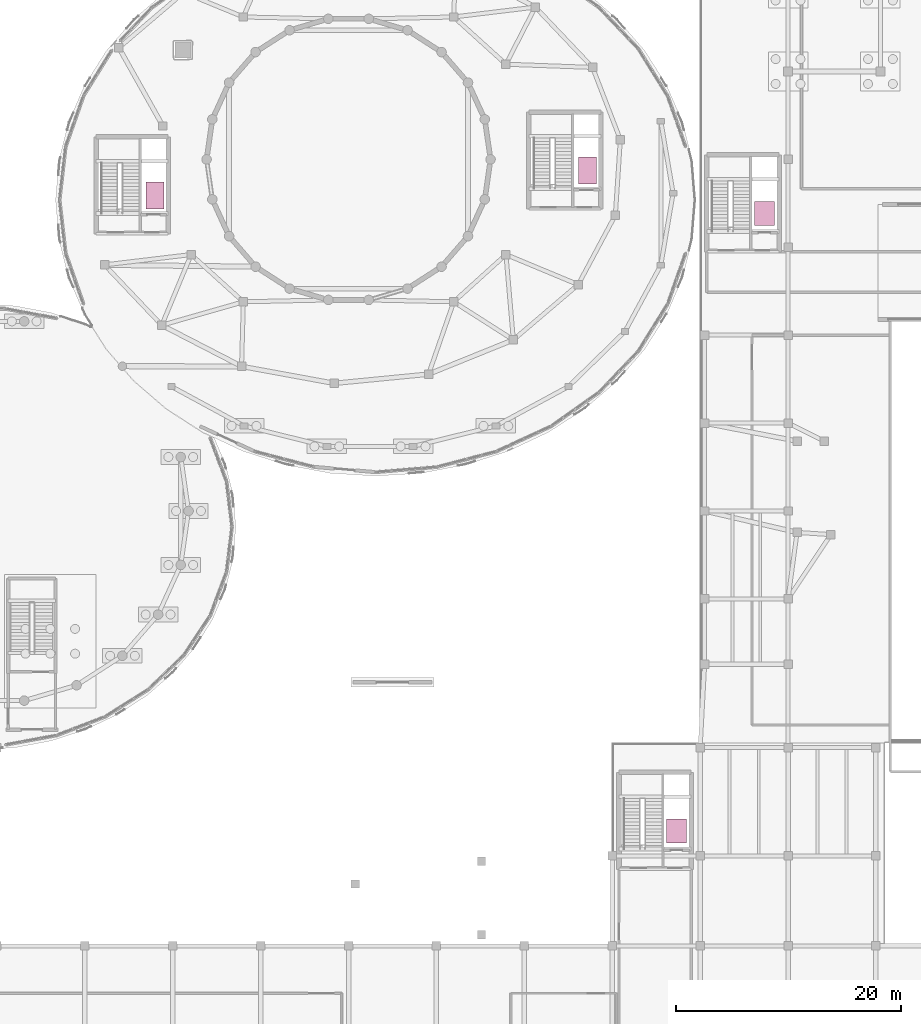
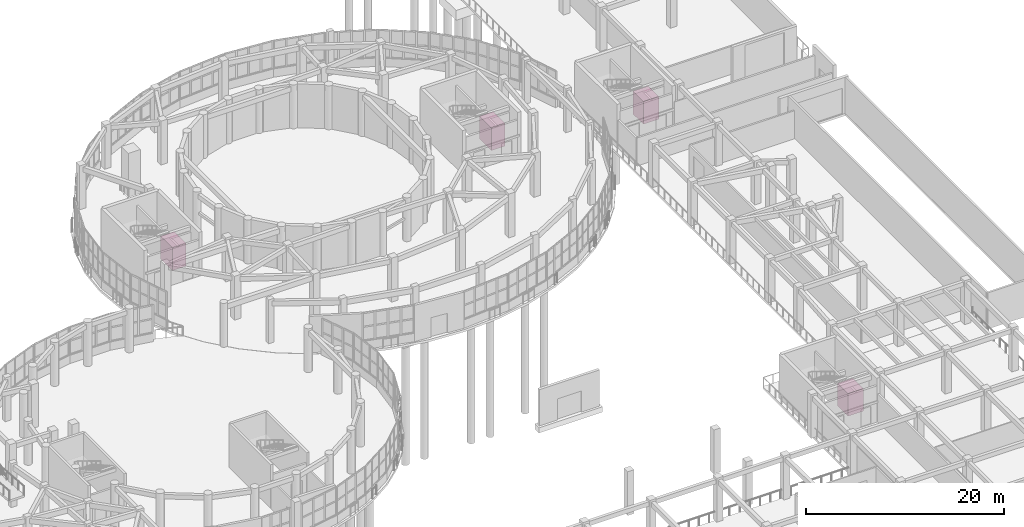
# One storey, part 96 of 96: 4 transport elements.
"""IFC4 building model written with IfcOpenShell, lengths in metres."""

from ifc_helpers import new_model, si_unit, direction, frame, origin, origin_2d, place, context, subcontext, project, spatial, rectangle, extrude, material, type_object, element, save


model = new_model("IFC4")

# Units and contexts
model_context = context("Model", 3, precision=1e-05, world=origin(), true_north=direction((0.0, 1.0)))
body_context = subcontext(model_context, "Body", "Model", "MODEL_VIEW")
ifc_project = project(units=[si_unit("LENGTHUNIT", "METRE"), si_unit("AREAUNIT", "SQUARE_METRE"), si_unit("VOLUMEUNIT", "CUBIC_METRE"), si_unit("PLANEANGLEUNIT", "RADIAN"), si_unit("MASSUNIT", "GRAM", prefix="KILO")], contexts=[model_context])

# Site, building, storey
site_placement = place(None, origin())
site = spatial("IfcSite", under=ifc_project, at=site_placement, CompositionType="ELEMENT")
building_placement = place(site_placement, origin())
building = spatial("IfcBuilding", under=site, at=building_placement, Name="Pelvatis Terrace Science Centre", CompositionType="ELEMENT")
storey_placement = place(building_placement, origin())
storey = spatial("IfcBuildingStorey", under=building, at=storey_placement, Name="L00", CompositionType="ELEMENT", Elevation=0.0)

# Transport elements
ifc_material_1 = material(Name="Brushed bronze and stainless steel lift car", Category="steel")
transport_element_type_1 = type_object("IfcTransportElementType", Name="LFT-FF-1600x2400", PredefinedType="ELEVATOR", material=ifc_material_1)
for number, where, z_axis, x_axis, name in (
    (1, (92.0048828125, 82.60009765625, 0.0), (0.0, 0.0, 1.0), (1.0, 0.0, 0.0), "Elevator LF-01"),
    (2, (130.405029296875, 84.800048828125, 0.0), (0.0, 0.0, 1.0), (1.0, 0.0, 0.0), "Elevator LF-02"),
):
    element("IfcTransportElement", number, at=place(storey_placement, frame(where, z_axis=z_axis, x_axis=x_axis)), inside=storey, type_object=transport_element_type_1, Name=name, PredefinedType="ELEVATOR", context=body_context, shape_type="SweptSolid", body=[
        extrude(rectangle(XDim=1.60009765625, YDim=2.39990234375, at=origin_2d()), origin(), (0.0, 0.0, 1.0), 2.800048828125),
    ])
ifc_material_2 = material(Name="Brushed bronze and stainless steel lift car", Category="steel")
transport_element_type_2 = type_object("IfcTransportElementType", Name="LFT-PAS-1800x2100", PredefinedType="ELEVATOR", material=ifc_material_2)
for number, where, z_axis, x_axis, name in (
    (3, (146.10498046875, 81.0, 0.0), (0.0, 0.0, 1.0), (1.0, 0.0, 0.0), "Elevator LF-05"),
    (4, (138.304931640625, 26.199951171875, 0.0), (0.0, 0.0, 1.0), (1.0, 0.0, 0.0), "Elevator LF-06"),
):
    element("IfcTransportElement", number, at=place(storey_placement, frame(where, z_axis=z_axis, x_axis=x_axis)), inside=storey, type_object=transport_element_type_2, Name=name, PredefinedType="ELEVATOR", context=body_context, shape_type="SweptSolid", body=[
        extrude(rectangle(XDim=1.800048828125, YDim=2.10009765625, at=origin_2d()), origin(), (0.0, 0.0, 1.0), 2.800048828125),
    ])

save(model, "model.ifc")
